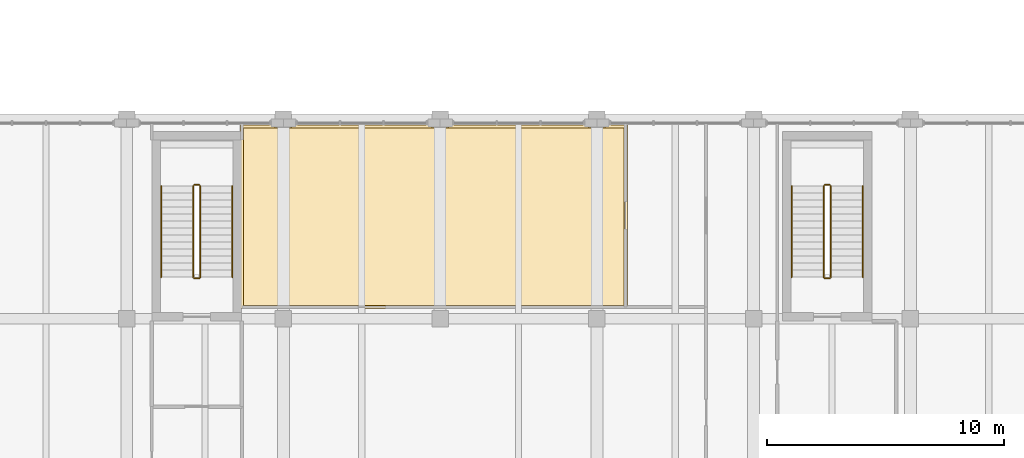
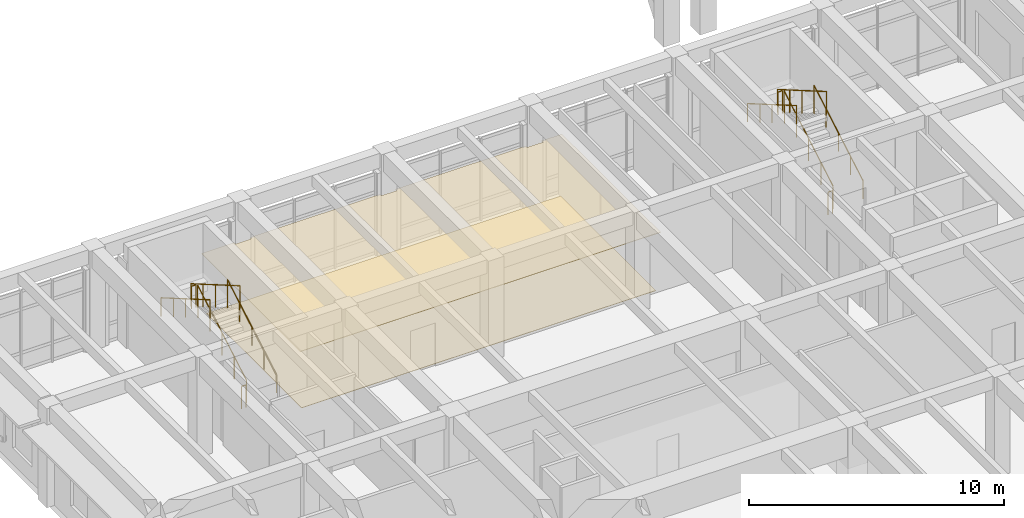
# One storey, part 65 of 75: 12 railings, 2 coverings.
"""IFC4 building model written with IfcOpenShell, lengths in metres."""

from ifc_helpers import new_model, si_unit, direction, frame, origin, origin_2d, place, context, subcontext, project, spatial, polyline, circle, outline, extrude, material, layer, layer_set, type_object, element, save


model = new_model("IFC4")

# Units and contexts
model_context = context("Model", 3, precision=1e-05, world=origin(), true_north=direction((0.0, 1.0)))
body_context = subcontext(model_context, "Body", "Model", "MODEL_VIEW")
ifc_project = project(units=[si_unit("LENGTHUNIT", "METRE"), si_unit("AREAUNIT", "SQUARE_METRE"), si_unit("VOLUMEUNIT", "CUBIC_METRE"), si_unit("PLANEANGLEUNIT", "RADIAN"), si_unit("MASSUNIT", "GRAM", prefix="KILO")], contexts=[model_context])

# Site, building, storey
site_placement = place(None, origin())
site = spatial("IfcSite", under=ifc_project, at=site_placement, CompositionType="ELEMENT")
building_placement = place(site_placement, origin())
building = spatial("IfcBuilding", under=site, at=building_placement, Name="Kolvaren Faculty of Natural Sciences", CompositionType="ELEMENT")
storey_placement = place(building_placement, frame((0.0, 0.0, 5.39990234375)))
storey = spatial("IfcBuildingStorey", under=building, at=storey_placement, Name="L01", CompositionType="ELEMENT", Elevation=5.39990234375)

# Coverings
ifc_material_1 = material(Name="Perforated mineral-fibre acoustic suspended ceiling tile")
ifc_layer_1 = layer(ifc_material_1, 0.02490234375)
ifc_layer_set_1 = layer_set([ifc_layer_1], Name="Perforated mineral-fibre acoustic suspended ceiling tile")
covering_type_1 = type_object("IfcCoveringType", Name="AcousticSuspendedCeiling_25", PredefinedType="CEILING", material=ifc_layer_set_1)
covering_1_placement = place(storey_placement, frame((0.0, 0.0, 2.8251953125)))
element("IfcCovering", 1, at=covering_1_placement, inside=storey, type_object=covering_type_1, Name="L01 L01 Bio-Imaging Darkroom Laboratory acoustic ceiling", PredefinedType="CEILING", context=body_context, shape_type="SweptSolid", body=[
    extrude(outline(polyline([(13.050048828125, 41.9599609375), (13.050048828125, 41.85009765625), (13.75, 41.85009765625), (13.75, 41.9599609375), (19.64990234375, 41.9599609375), (19.64990234375, 41.85009765625), (20.35009765625, 41.85009765625), (20.35009765625, 41.9599609375), (26.25, 41.9599609375), (26.25, 41.85009765625), (26.949951171875, 41.85009765625), (26.949951171875, 41.9599609375), (27.8798828125, 41.9599609375), (27.8798828125, 34.219970703125), (11.570068359375, 34.219970703125), (11.570068359375, 41.9599609375), (13.050048828125, 41.9599609375)])), origin(), (0.0, 0.0, 1.0), 0.02490234375),
])
ifc_material_2 = material(Name="Seamless chemical-resistant laboratory epoxy resin flooring")
ifc_layer_2 = layer(ifc_material_2, 0.02001953125)
ifc_layer_set_2 = layer_set([ifc_layer_2], Name="Seamless chemical-resistant laboratory epoxy resin flooring")
covering_type_2 = type_object("IfcCoveringType", Name="LabEpoxyFloorFinish_20", PredefinedType="FLOORING", material=ifc_layer_set_2)
covering_2_placement = place(storey_placement, origin())
element("IfcCovering", 2, at=covering_2_placement, inside=storey, type_object=covering_type_2, Name="L01 L01 Bio-Imaging Darkroom Laboratory floor finish", PredefinedType="FLOORING", context=body_context, shape_type="SweptSolid", body=[
    extrude(outline(polyline([(11.7099609375, 41.820068359375), (27.739990234375, 41.820068359375), (27.739990234375, 34.360107421875), (11.7099609375, 34.360107421875), (11.7099609375, 41.820068359375)])), origin(), (0.0, 0.0, 1.0), 0.02001953125),
])

# Railings
ifc_material_3 = material(Name="Structural steel EN 10210-1 S355J2H", Category="steel")
ifc_layer_3 = layer(ifc_material_3, 0.048095703125)
ifc_layer_set_3 = layer_set([ifc_layer_3], Name="Structural steel EN 10210-1 S355J2H")
railing_type_1 = type_object("IfcRailingType", Name="StairPitchHandrail_920", PredefinedType="HANDRAIL", material=ifc_layer_set_3)
railing_1_placement = place(storey_placement, frame((37.800048828125, 35.550048828125, 0.171630859375)))
element("IfcRailing", 3, at=railing_1_placement, inside=storey, type_object=railing_type_1, Name="L01 ST-4 stair handrail 1", PredefinedType="HANDRAIL", context=body_context, shape_type="SweptSolid", body=[
    extrude(circle(Radius=0.02392578125, at=origin_2d()), frame((0.0, 0.0, 0.8759765625), z_axis=(0.0, 0.86461618451, 0.502432934314), x_axis=(-1.0, 0.0, 0.0)), (0.0, 0.0, 1.0), 4.435546875),
    extrude(circle(Radius=0.02099609375, at=origin_2d()), origin(), (0.0, 0.0, 1.0), 0.851806640625),
    extrude(circle(Radius=0.02099609375, at=origin_2d()), frame((0.0, 0.958740234375, 0.55712890625)), (0.0, 0.0, 1.0), 0.851806640625),
    extrude(circle(Radius=0.02099609375, at=origin_2d()), frame((0.0, 1.91748046875, 1.1142578125)), (0.0, 0.0, 1.0), 0.851806640625),
    extrude(circle(Radius=0.02099609375, at=origin_2d()), frame((0.0, 2.876220703125, 1.67138671875)), (0.0, 0.0, 1.0), 0.851806640625),
    extrude(circle(Radius=0.02099609375, at=origin_2d()), frame((0.0, 3.8349609375, 2.228515625)), (0.0, 0.0, 1.0), 0.851806640625),
])
railing_2_placement = place(storey_placement, frame((34.800048828125, 39.385009765625, 2.571533203125)))
element("IfcRailing", 4, at=railing_2_placement, inside=storey, type_object=railing_type_1, Name="L01 ST-4 stair handrail 2", PredefinedType="HANDRAIL", context=body_context, shape_type="SweptSolid", body=[
    extrude(circle(Radius=0.02392578125, at=origin_2d()), frame((0.0, 0.0, 0.8759765625), z_axis=(0.0, -0.86461618451, 0.502432934314), x_axis=(1.0, 0.0, 0.0)), (0.0, 0.0, 1.0), 4.435546875),
    extrude(circle(Radius=0.02099609375, at=origin_2d()), origin(), (0.0, 0.0, 1.0), 0.851806640625),
    extrude(circle(Radius=0.02099609375, at=origin_2d()), frame((0.0, -0.958740234375, 0.55712890625)), (0.0, 0.0, 1.0), 0.851806640625),
    extrude(circle(Radius=0.02099609375, at=origin_2d()), frame((0.0, -1.91748046875, 1.1142578125)), (0.0, 0.0, 1.0), 0.851806640625),
    extrude(circle(Radius=0.02099609375, at=origin_2d()), frame((0.0, -2.876220703125, 1.67138671875)), (0.0, 0.0, 1.0), 0.851806640625),
    extrude(circle(Radius=0.02099609375, at=origin_2d()), frame((0.0, -3.8349609375, 2.228515625)), (0.0, 0.0, 1.0), 0.851806640625),
])
railing_3_placement = place(storey_placement, frame((11.25, 35.550048828125, 0.171630859375)))
element("IfcRailing", 5, at=railing_3_placement, inside=storey, type_object=railing_type_1, Name="L01 ST-8 stair handrail 1", PredefinedType="HANDRAIL", context=body_context, shape_type="SweptSolid", body=[
    extrude(circle(Radius=0.02392578125, at=origin_2d()), frame((0.0, 0.0, 0.8759765625), z_axis=(0.0, 0.86461618451, 0.502432934314), x_axis=(-1.0, 0.0, 0.0)), (0.0, 0.0, 1.0), 4.435546875),
    extrude(circle(Radius=0.02099609375, at=origin_2d()), origin(), (0.0, 0.0, 1.0), 0.851806640625),
    extrude(circle(Radius=0.02099609375, at=origin_2d()), frame((0.0, 0.958740234375, 0.55712890625)), (0.0, 0.0, 1.0), 0.851806640625),
    extrude(circle(Radius=0.02099609375, at=origin_2d()), frame((0.0, 1.91748046875, 1.1142578125)), (0.0, 0.0, 1.0), 0.851806640625),
    extrude(circle(Radius=0.02099609375, at=origin_2d()), frame((0.0, 2.876220703125, 1.67138671875)), (0.0, 0.0, 1.0), 0.851806640625),
    extrude(circle(Radius=0.02099609375, at=origin_2d()), frame((0.0, 3.8349609375, 2.228515625)), (0.0, 0.0, 1.0), 0.851806640625),
])
railing_4_placement = place(storey_placement, frame((8.25, 39.385009765625, 2.571533203125)))
element("IfcRailing", 6, at=railing_4_placement, inside=storey, type_object=railing_type_1, Name="L01 ST-8 stair handrail 2", PredefinedType="HANDRAIL", context=body_context, shape_type="SweptSolid", body=[
    extrude(circle(Radius=0.02392578125, at=origin_2d()), frame((0.0, 0.0, 0.8759765625), z_axis=(0.0, -0.86461618451, 0.502432934314), x_axis=(1.0, 0.0, 0.0)), (0.0, 0.0, 1.0), 4.435546875),
    extrude(circle(Radius=0.02099609375, at=origin_2d()), origin(), (0.0, 0.0, 1.0), 0.851806640625),
    extrude(circle(Radius=0.02099609375, at=origin_2d()), frame((0.0, -0.958740234375, 0.55712890625)), (0.0, 0.0, 1.0), 0.851806640625),
    extrude(circle(Radius=0.02099609375, at=origin_2d()), frame((0.0, -1.91748046875, 1.1142578125)), (0.0, 0.0, 1.0), 0.851806640625),
    extrude(circle(Radius=0.02099609375, at=origin_2d()), frame((0.0, -2.876220703125, 1.67138671875)), (0.0, 0.0, 1.0), 0.851806640625),
    extrude(circle(Radius=0.02099609375, at=origin_2d()), frame((0.0, -3.8349609375, 2.228515625)), (0.0, 0.0, 1.0), 0.851806640625),
])
ifc_layer_4 = layer(ifc_material_3, 0.048095703125)
ifc_layer_set_4 = layer_set([ifc_layer_4], Name="Structural steel EN 10210-1 S355J2H")
railing_type_2 = type_object("IfcRailingType", Name="StairWellGuard_1100", PredefinedType="BALUSTRADE", material=ifc_layer_set_4)
railing_5_placement = place(storey_placement, frame((36.449951171875, 35.550048828125, 0.171630859375)))
element("IfcRailing", 7, at=railing_5_placement, inside=storey, type_object=railing_type_2, Name="L01 ST-4 stair guard 1", PredefinedType="BALUSTRADE", context=body_context, shape_type="SweptSolid", body=[
    extrude(circle(Radius=0.02392578125, at=origin_2d()), frame((0.0, 0.0, 1.076171875), z_axis=(0.0, 0.86461618451, 0.502432934314), x_axis=(-1.0, 0.0, 0.0)), (0.0, 0.0, 1.0), 4.435546875),
    extrude(circle(Radius=0.02099609375, at=origin_2d()), origin(), (0.0, 0.0, 1.0), 1.052001953125),
    extrude(circle(Radius=0.02099609375, at=origin_2d()), frame((0.0, 0.958740234375, 0.55712890625)), (0.0, 0.0, 1.0), 1.052001953125),
    extrude(circle(Radius=0.02099609375, at=origin_2d()), frame((0.0, 1.91748046875, 1.1142578125)), (0.0, 0.0, 1.0), 1.052001953125),
    extrude(circle(Radius=0.02099609375, at=origin_2d()), frame((0.0, 2.876220703125, 1.67138671875)), (0.0, 0.0, 1.0), 1.052001953125),
    extrude(circle(Radius=0.02099609375, at=origin_2d()), frame((0.0, 3.8349609375, 2.228515625)), (0.0, 0.0, 1.0), 1.052001953125),
])
railing_6_placement = place(storey_placement, frame((36.39990234375, 39.43505859375, 2.400146484375)))
element("IfcRailing", 8, at=railing_6_placement, inside=storey, type_object=railing_type_2, Name="L01 ST-4 stair guard 2", PredefinedType="BALUSTRADE", context=body_context, shape_type="SweptSolid", body=[
    extrude(circle(Radius=0.02392578125, at=origin_2d()), frame((0.0, 0.0, 1.076171875), z_axis=(-1.0, 0.0, 0.0), x_axis=(0.0, -1.0, 0.0)), (0.0, 0.0, 1.0), 0.199951171875),
    extrude(circle(Radius=0.02099609375, at=origin_2d()), origin(), (0.0, 0.0, 1.0), 1.052001953125),
    extrude(circle(Radius=0.02099609375, at=origin_2d()), frame((-0.199951171875, 0.0, 0.0)), (0.0, 0.0, 1.0), 1.052001953125),
])
railing_7_placement = place(storey_placement, frame((36.14990234375, 39.385009765625, 2.571533203125)))
element("IfcRailing", 9, at=railing_7_placement, inside=storey, type_object=railing_type_2, Name="L01 ST-4 stair guard 3", PredefinedType="BALUSTRADE", context=body_context, shape_type="SweptSolid", body=[
    extrude(circle(Radius=0.02392578125, at=origin_2d()), frame((0.0, 0.0, 1.076171875), z_axis=(0.0, -0.86461618451, 0.502432934314), x_axis=(1.0, 0.0, 0.0)), (0.0, 0.0, 1.0), 4.435546875),
    extrude(circle(Radius=0.02099609375, at=origin_2d()), origin(), (0.0, 0.0, 1.0), 1.052001953125),
    extrude(circle(Radius=0.02099609375, at=origin_2d()), frame((0.0, -0.958740234375, 0.55712890625)), (0.0, 0.0, 1.0), 1.052001953125),
    extrude(circle(Radius=0.02099609375, at=origin_2d()), frame((0.0, -1.91748046875, 1.1142578125)), (0.0, 0.0, 1.0), 1.052001953125),
    extrude(circle(Radius=0.02099609375, at=origin_2d()), frame((0.0, -2.876220703125, 1.67138671875)), (0.0, 0.0, 1.0), 1.052001953125),
    extrude(circle(Radius=0.02099609375, at=origin_2d()), frame((0.0, -3.8349609375, 2.228515625)), (0.0, 0.0, 1.0), 1.052001953125),
])
railing_8_placement = place(storey_placement, frame((36.39990234375, 35.5, 0.0)))
element("IfcRailing", 10, at=railing_8_placement, inside=storey, type_object=railing_type_2, Name="L01 ST-4 stair guard 4", PredefinedType="BALUSTRADE", context=body_context, shape_type="SweptSolid", body=[
    extrude(circle(Radius=0.02392578125, at=origin_2d()), frame((0.0, 0.0, 1.076171875), z_axis=(-1.0, 0.0, 0.0), x_axis=(0.0, -1.0, 0.0)), (0.0, 0.0, 1.0), 0.199951171875),
    extrude(circle(Radius=0.02099609375, at=origin_2d()), origin(), (0.0, 0.0, 1.0), 1.052001953125),
    extrude(circle(Radius=0.02099609375, at=origin_2d()), frame((-0.199951171875, 0.0, 0.0)), (0.0, 0.0, 1.0), 1.052001953125),
])
railing_9_placement = place(storey_placement, frame((9.89990234375, 35.550048828125, 0.171630859375)))
element("IfcRailing", 11, at=railing_9_placement, inside=storey, type_object=railing_type_2, Name="L01 ST-8 stair guard 1", PredefinedType="BALUSTRADE", context=body_context, shape_type="SweptSolid", body=[
    extrude(circle(Radius=0.02392578125, at=origin_2d()), frame((0.0, 0.0, 1.076171875), z_axis=(0.0, 0.86461618451, 0.502432934314), x_axis=(-1.0, 0.0, 0.0)), (0.0, 0.0, 1.0), 4.435546875),
    extrude(circle(Radius=0.02099609375, at=origin_2d()), origin(), (0.0, 0.0, 1.0), 1.052001953125),
    extrude(circle(Radius=0.02099609375, at=origin_2d()), frame((0.0, 0.958740234375, 0.55712890625)), (0.0, 0.0, 1.0), 1.052001953125),
    extrude(circle(Radius=0.02099609375, at=origin_2d()), frame((0.0, 1.91748046875, 1.1142578125)), (0.0, 0.0, 1.0), 1.052001953125),
    extrude(circle(Radius=0.02099609375, at=origin_2d()), frame((0.0, 2.876220703125, 1.67138671875)), (0.0, 0.0, 1.0), 1.052001953125),
    extrude(circle(Radius=0.02099609375, at=origin_2d()), frame((0.0, 3.8349609375, 2.228515625)), (0.0, 0.0, 1.0), 1.052001953125),
])
railing_10_placement = place(storey_placement, frame((9.85009765625, 39.43505859375, 2.400146484375)))
element("IfcRailing", 12, at=railing_10_placement, inside=storey, type_object=railing_type_2, Name="L01 ST-8 stair guard 2", PredefinedType="BALUSTRADE", context=body_context, shape_type="SweptSolid", body=[
    extrude(circle(Radius=0.02392578125, at=origin_2d()), frame((0.0, 0.0, 1.076171875), z_axis=(-1.0, 0.0, 0.0), x_axis=(0.0, -1.0, 0.0)), (0.0, 0.0, 1.0), 0.2001953125),
    extrude(circle(Radius=0.02099609375, at=origin_2d()), origin(), (0.0, 0.0, 1.0), 1.052001953125),
    extrude(circle(Radius=0.02099609375, at=origin_2d()), frame((-0.2001953125, 0.0, 0.0)), (0.0, 0.0, 1.0), 1.052001953125),
])
railing_11_placement = place(storey_placement, frame((9.60009765625, 39.385009765625, 2.571533203125)))
element("IfcRailing", 13, at=railing_11_placement, inside=storey, type_object=railing_type_2, Name="L01 ST-8 stair guard 3", PredefinedType="BALUSTRADE", context=body_context, shape_type="SweptSolid", body=[
    extrude(circle(Radius=0.02392578125, at=origin_2d()), frame((0.0, 0.0, 1.076171875), z_axis=(0.0, -0.86461618451, 0.502432934314), x_axis=(1.0, 0.0, 0.0)), (0.0, 0.0, 1.0), 4.435546875),
    extrude(circle(Radius=0.02099609375, at=origin_2d()), origin(), (0.0, 0.0, 1.0), 1.052001953125),
    extrude(circle(Radius=0.02099609375, at=origin_2d()), frame((0.0, -0.958740234375, 0.55712890625)), (0.0, 0.0, 1.0), 1.052001953125),
    extrude(circle(Radius=0.02099609375, at=origin_2d()), frame((0.0, -1.91748046875, 1.1142578125)), (0.0, 0.0, 1.0), 1.052001953125),
    extrude(circle(Radius=0.02099609375, at=origin_2d()), frame((0.0, -2.876220703125, 1.67138671875)), (0.0, 0.0, 1.0), 1.052001953125),
    extrude(circle(Radius=0.02099609375, at=origin_2d()), frame((0.0, -3.8349609375, 2.228515625)), (0.0, 0.0, 1.0), 1.052001953125),
])
railing_12_placement = place(storey_placement, frame((9.85009765625, 35.5, 0.0)))
element("IfcRailing", 14, at=railing_12_placement, inside=storey, type_object=railing_type_2, Name="L01 ST-8 stair guard 4", PredefinedType="BALUSTRADE", context=body_context, shape_type="SweptSolid", body=[
    extrude(circle(Radius=0.02392578125, at=origin_2d()), frame((0.0, 0.0, 1.076171875), z_axis=(-1.0, 0.0, 0.0), x_axis=(0.0, -1.0, 0.0)), (0.0, 0.0, 1.0), 0.2001953125),
    extrude(circle(Radius=0.02099609375, at=origin_2d()), origin(), (0.0, 0.0, 1.0), 1.052001953125),
    extrude(circle(Radius=0.02099609375, at=origin_2d()), frame((-0.2001953125, 0.0, 0.0)), (0.0, 0.0, 1.0), 1.052001953125),
])

save(model, "model.ifc")
